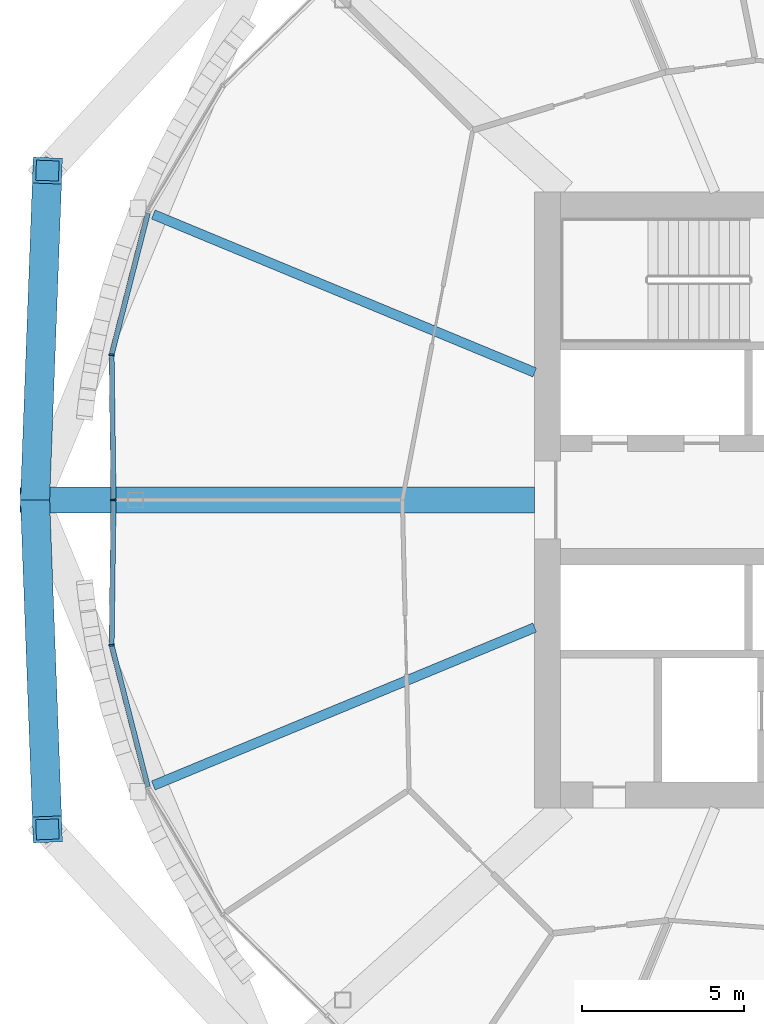
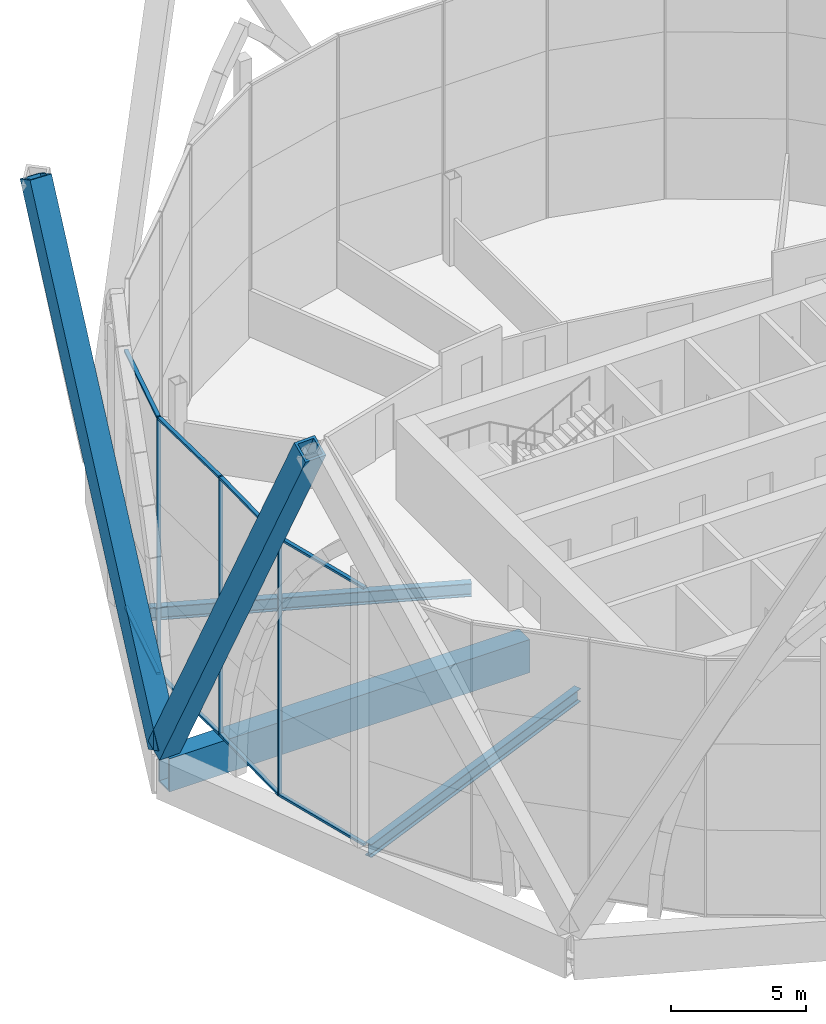
# One storey, part 6 of 37: 13 members, 3 beams, 2 elements without a shape of their own.
"""IFC4 building model written with IfcOpenShell, lengths in metres."""

from ifc_helpers import new_model, si_unit, direction, frame, origin, origin_2d, place, context, subcontext, project, spatial, rectangle, hollow_rectangle, i_section, extrude, material, material_profile, profile_set, type_object, element, aggregate, save


model = new_model("IFC4")

# Units and contexts
model_context = context("Model", 3, precision=1e-05, world=origin(), true_north=direction((0.0, 1.0)))
body_context = subcontext(model_context, "Body", "Model", "MODEL_VIEW")
ifc_project = project(units=[si_unit("LENGTHUNIT", "METRE"), si_unit("AREAUNIT", "SQUARE_METRE"), si_unit("VOLUMEUNIT", "CUBIC_METRE"), si_unit("PLANEANGLEUNIT", "RADIAN"), si_unit("MASSUNIT", "GRAM", prefix="KILO")], contexts=[model_context])

# Site, building, storey
site_placement = place(None, origin())
site = spatial("IfcSite", under=ifc_project, at=site_placement, CompositionType="ELEMENT")
building_placement = place(site_placement, origin())
building = spatial("IfcBuilding", under=site, at=building_placement, Name="Ogive Gate Towers", CompositionType="ELEMENT")
storey_placement = place(building_placement, frame((0.0, 0.0, 32.39990234375)))
storey = spatial("IfcBuildingStorey", under=building, at=storey_placement, Name="L06", CompositionType="ELEMENT", Elevation=32.39990234375)

# Members
ifc_material_1 = material(Name="Steel SM460", Category="steel")
ifc_material_profile_1 = material_profile(ifc_material_1, hollow_rectangle(XDim=0.89990234375, YDim=0.89990234375, WallThickness=0.10009765625, at=origin_2d()), Name="BX 900x900x100")
ifc_profile_set_1 = profile_set([ifc_material_profile_1], Name="Steel SM460")
member_type_1 = type_object("IfcMemberType", Name="Diagrid diagonal BX 900x900x100", PredefinedType="BRACE", material=ifc_profile_set_1)
for number, where, z_axis, x_axis, name in (
    (1, (-60.909912109375, 0.0, 0.0), (0.017318521171, 0.462004857089, 0.886708283964), (-0.999298155125, 0.037459273404, 0.0), "T1/L06/SDG009"),
    (2, (-60.909912109375, 0.0, 0.0), (0.017318521171, -0.462004857089, 0.886708283964), (0.999298155125, 0.037459273404, 0.0), "T1/L06/SDG010"),
):
    element("IfcMember", number, at=place(storey_placement, frame(where, z_axis=z_axis, x_axis=x_axis)), inside=storey, type_object=member_type_1, Name=name, PredefinedType="BRACE", context=body_context, shape_type="SweptSolid", body=[
        extrude(hollow_rectangle(XDim=0.89990234375, YDim=0.89990234375, WallThickness=0.10009765625, at=origin_2d()), origin(), (0.0, 0.0, 1.0), 21.991455078125),
    ])

# Beams
ifc_material_2 = material(Name="Steel SM355", Category="steel")
ifc_material_profile_2 = material_profile(ifc_material_2, i_section(OverallWidth=0.300048828125, OverallDepth=0.590087890625, WebThickness=0.012939453125, FlangeThickness=0.02490234375, FilletRadius=0.027099609375, at=origin_2d()), Name="HE 600 A")
ifc_profile_set_2 = profile_set([ifc_material_profile_2], Name="Steel SM355")
beam_type_1 = type_object("IfcBeamType", Name="Radial floor beam HE 600 A", PredefinedType="BEAM", material=ifc_profile_set_2)
for number, where, z_axis, x_axis, name in (
    (3, (-45.5, 3.93505859375, -0.594970703125), (-0.923876595354, 0.382690523214, 0.0), (-0.382690523214, -0.923876595354, 0.0), "T1/L06/SBM014"),
    (4, (-45.5, -3.93505859375, -0.594970703125), (-0.923876595354, -0.382690523214, 0.0), (0.382690523214, -0.923876595354, 0.0), "T1/L06/SBM016"),
):
    element("IfcBeam", number, at=place(storey_placement, frame(where, z_axis=z_axis, x_axis=x_axis)), inside=storey, type_object=beam_type_1, Name=name, PredefinedType="BEAM", context=body_context, shape_type="SweptSolid", body=[
        extrude(i_section(OverallWidth=0.300048828125, OverallDepth=0.590087890625, WebThickness=0.012939453125, FlangeThickness=0.02490234375, FilletRadius=0.027099609375, at=origin_2d()), origin(), (0.0, 0.0, 1.0), 12.731201171875),
    ])

# Curtain wall, members
ifc_material_3 = material(Name="Pale metal aluminium", Category="aluminium")
curtain_wall_type = type_object("IfcCurtainWallType", Name="Tower unitised wall, low zone", PredefinedType="NOTDEFINED", material=ifc_material_3)
curtain_wall_1_placement = place(storey_placement, origin())
curtain_wall_1 = element("IfcCurtainWall", 5, at=curtain_wall_1_placement, inside=storey, type_object=curtain_wall_type, Name="CW1 T1 ECW04", PredefinedType="NOTDEFINED")
ifc_material_profile_3 = material_profile(ifc_material_3, rectangle(XDim=0.159912109375, YDim=0.06005859375, at=origin_2d()), Name="60 x 160 aluminium box")
ifc_profile_set_3 = profile_set([ifc_material_profile_3], Name="Pale metal aluminium")
member_type_2 = type_object("IfcMemberType", Name="Tower unitised wall, low zone mullion 60 x 160", PredefinedType="MULLION", material=ifc_profile_set_3)
member_1_placement = place(storey_placement, frame((-58.550048828125, 4.47900390625, -0.2998046875), z_axis=(0.0, 0.0, 1.0), x_axis=(-0.992984094708, 0.118247992189, 0.0)))
member_1 = element("IfcMember", 6, at=member_1_placement, type_object=member_type_2, Name="CW1 mullion", PredefinedType="MULLION", context=body_context, shape_type="SweptSolid", body=[
    extrude(rectangle(XDim=0.159912109375, YDim=0.06005859375, at=origin_2d()), origin(), (0.0, 0.0, 1.0), 11.699951171875),
])
member_2_placement = place(storey_placement, frame((-58.489990234375, 0.000244140625, -0.2998046875), z_axis=(0.0, 0.0, 1.0), x_axis=(-0.999910399799, -0.013386275544, 0.0)))
member_2 = element("IfcMember", 7, at=member_2_placement, type_object=member_type_2, Name="CW1 mullion", PredefinedType="MULLION", context=body_context, shape_type="SweptSolid", body=[
    extrude(rectangle(XDim=0.159912109375, YDim=0.06005859375, at=origin_2d()), origin(), (0.0, 0.0, 1.0), 11.699951171875),
])

# Curtain wall, member
curtain_wall_2_placement = place(storey_placement, origin())
curtain_wall_2 = element("IfcCurtainWall", 8, at=curtain_wall_2_placement, inside=storey, type_object=curtain_wall_type, Name="CW1 T1 ECW05", PredefinedType="NOTDEFINED")
member_3_placement = place(storey_placement, frame((-58.550048828125, -4.47900390625, -0.2998046875), z_axis=(0.0, 0.0, 1.0), x_axis=(-0.992984094708, -0.118247992189, 0.0)))
member_3 = element("IfcMember", 9, at=member_3_placement, type_object=member_type_2, Name="CW1 mullion", PredefinedType="MULLION", context=body_context, shape_type="SweptSolid", body=[
    extrude(rectangle(XDim=0.159912109375, YDim=0.06005859375, at=origin_2d()), origin(), (0.0, 0.0, 1.0), 11.699951171875),
])

# Member
ifc_material_profile_4 = material_profile(ifc_material_3, rectangle(XDim=0.159912109375, YDim=0.10009765625, at=origin_2d()), Name="100 x 160 aluminium box")
ifc_profile_set_4 = profile_set([ifc_material_profile_4], Name="Pale metal aluminium")
member_type_3 = type_object("IfcMemberType", Name="Tower unitised wall, low zone transom 100 x 160", PredefinedType="USERDEFINED", material=ifc_profile_set_4)
member_4_placement = place(storey_placement, frame((-57.432373046875, 8.848388671875, 11.35009765625), z_axis=(-0.24781185132, -0.968808178302, 0.0), x_axis=(0.968808178302, -0.24781185132, 0.0)))
member_4 = element("IfcMember", 10, at=member_4_placement, type_object=member_type_3, Name="CW1 transom", ObjectType="TRANSOM", PredefinedType="USERDEFINED", context=body_context, shape_type="SweptSolid", body=[
    extrude(rectangle(XDim=0.159912109375, YDim=0.10009765625, at=origin_2d()), origin(), (0.0, 0.0, 1.0), 4.482666015625),
])

member_5_placement = place(storey_placement, frame((-57.432373046875, 8.848388671875, -0.25), z_axis=(-0.24781185132, -0.968808178302, 0.0), x_axis=(0.968808178302, -0.24781185132, 0.0)))
member_5 = element("IfcMember", 11, at=member_5_placement, type_object=member_type_3, Name="CW1 transom", ObjectType="TRANSOM", PredefinedType="USERDEFINED", context=body_context, shape_type="SweptSolid", body=[
    extrude(rectangle(XDim=0.159912109375, YDim=0.10009765625, at=origin_2d()), origin(), (0.0, 0.0, 1.0), 4.482666015625),
])

member_6_placement = place(storey_placement, frame((-58.549560546875, 4.45166015625, 11.35009765625), z_axis=(0.013361590097, -0.99991072997, 0.0), x_axis=(0.99991072997, 0.013361590097, 0.0)))
member_6 = element("IfcMember", 12, at=member_6_placement, type_object=member_type_3, Name="CW1 transom", ObjectType="TRANSOM", PredefinedType="USERDEFINED", context=body_context, shape_type="SweptSolid", body=[
    extrude(rectangle(XDim=0.159912109375, YDim=0.10009765625, at=origin_2d()), origin(), (0.0, 0.0, 1.0), 4.421875),
])

member_7_placement = place(storey_placement, frame((-58.549560546875, 4.45166015625, -0.25), z_axis=(0.013361590097, -0.99991072997, 0.0), x_axis=(0.99991072997, 0.013361590097, 0.0)))
member_7 = element("IfcMember", 13, at=member_7_placement, type_object=member_type_3, Name="CW1 transom", ObjectType="TRANSOM", PredefinedType="USERDEFINED", context=body_context, shape_type="SweptSolid", body=[
    extrude(rectangle(XDim=0.159912109375, YDim=0.10009765625, at=origin_2d()), origin(), (0.0, 0.0, 1.0), 4.421875),
])

aggregate(curtain_wall_1, [member_1, member_4, member_5, member_2, member_6, member_7])

member_8_placement = place(storey_placement, frame((-58.490478515625, -0.0302734375, 11.35009765625), z_axis=(-0.013361590097, -0.99991072997, 0.0), x_axis=(0.99991072997, -0.013361590097, 0.0)))
member_8 = element("IfcMember", 14, at=member_8_placement, type_object=member_type_3, Name="CW1 transom", ObjectType="TRANSOM", PredefinedType="USERDEFINED", context=body_context, shape_type="SweptSolid", body=[
    extrude(rectangle(XDim=0.159912109375, YDim=0.10009765625, at=origin_2d()), origin(), (0.0, 0.0, 1.0), 4.421875),
])

member_9_placement = place(storey_placement, frame((-58.490478515625, -0.0302734375, -0.25), z_axis=(-0.013361590097, -0.99991072997, 0.0), x_axis=(0.99991072997, -0.013361590097, 0.0)))
member_9 = element("IfcMember", 15, at=member_9_placement, type_object=member_type_3, Name="CW1 transom", ObjectType="TRANSOM", PredefinedType="USERDEFINED", context=body_context, shape_type="SweptSolid", body=[
    extrude(rectangle(XDim=0.159912109375, YDim=0.10009765625, at=origin_2d()), origin(), (0.0, 0.0, 1.0), 4.421875),
])

member_10_placement = place(storey_placement, frame((-58.543212890625, -4.505615234375, 11.35009765625), z_axis=(0.24781185132, -0.968808178302, 0.0), x_axis=(0.968808178302, 0.24781185132, 0.0)))
member_10 = element("IfcMember", 16, at=member_10_placement, type_object=member_type_3, Name="CW1 transom", ObjectType="TRANSOM", PredefinedType="USERDEFINED", context=body_context, shape_type="SweptSolid", body=[
    extrude(rectangle(XDim=0.159912109375, YDim=0.10009765625, at=origin_2d()), origin(), (0.0, 0.0, 1.0), 4.482666015625),
])

member_11_placement = place(storey_placement, frame((-58.543212890625, -4.505615234375, -0.25), z_axis=(0.24781185132, -0.968808178302, 0.0), x_axis=(0.968808178302, 0.24781185132, 0.0)))
member_11 = element("IfcMember", 17, at=member_11_placement, type_object=member_type_3, Name="CW1 transom", ObjectType="TRANSOM", PredefinedType="USERDEFINED", context=body_context, shape_type="SweptSolid", body=[
    extrude(rectangle(XDim=0.159912109375, YDim=0.10009765625, at=origin_2d()), origin(), (0.0, 0.0, 1.0), 4.482666015625),
])

aggregate(curtain_wall_2, [member_3, member_8, member_9, member_10, member_11])

# Beam
ifc_material_profile_5 = material_profile(ifc_material_1, hollow_rectangle(XDim=0.800048828125, YDim=1.5, WallThickness=0.06005859375, at=origin_2d()), Name="BX 1500x800x60")
ifc_profile_set_5 = profile_set([ifc_material_profile_5], Name="Steel SM460")
beam_type_2 = type_object("IfcBeamType", Name="Transfer radial beam BX 1500x800x60", PredefinedType="BEAM", material=ifc_profile_set_5)
beam_placement = place(storey_placement, frame((-45.5, 0.0, -1.0498046875), z_axis=(-1.0, 0.0, 0.0), x_axis=(0.0, -1.0, 0.0)))
element("IfcBeam", 18, at=beam_placement, inside=storey, type_object=beam_type_2, Name="T1/L06/SBM015", PredefinedType="BEAM", context=body_context, shape_type="SweptSolid", body=[
    extrude(hollow_rectangle(XDim=0.800048828125, YDim=1.5, WallThickness=0.06005859375, at=origin_2d()), origin(), (0.0, 0.0, 1.0), 15.409912109375),
])

save(model, "model.ifc")
